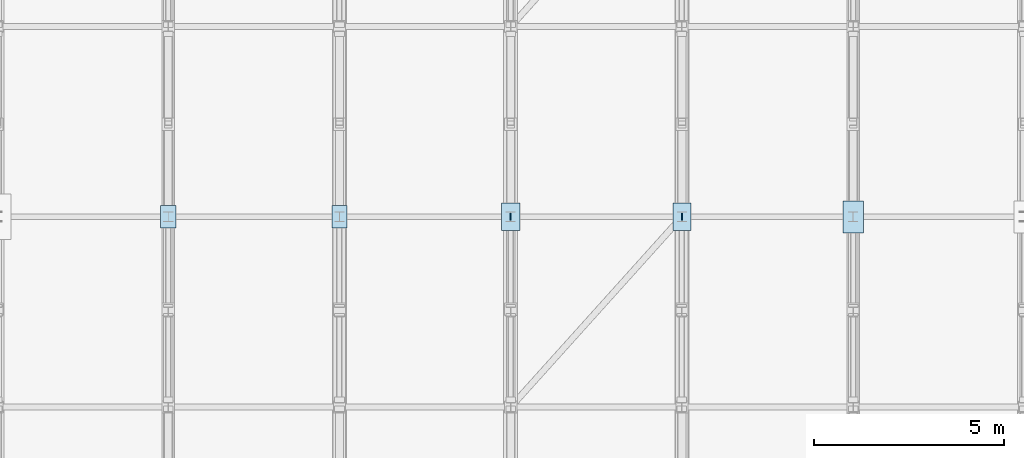
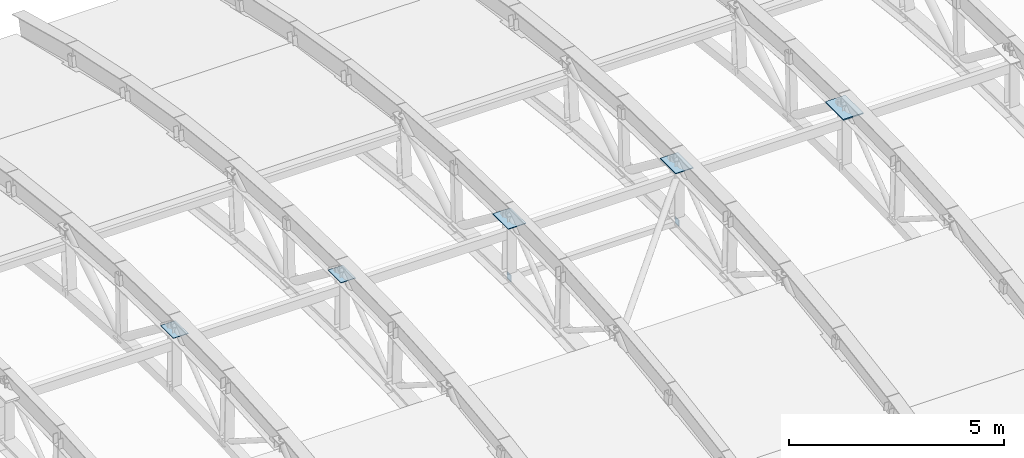
# One storey, part 37 of 53: 7 plates.
"""IFC4 building model written with IfcOpenShell, lengths in metres."""

from ifc_helpers import new_model, si_unit, direction, frame, origin, origin_2d, place, context, subcontext, project, spatial, rectangle, extrude, material, layer, layer_set, type_object, element, save


model = new_model("IFC4")

# Units and contexts
model_context = context("Model", 3, precision=1e-05, world=origin(), true_north=direction((0.0, 1.0)))
body_context = subcontext(model_context, "Body", "Model", "MODEL_VIEW")
ifc_project = project(units=[si_unit("LENGTHUNIT", "METRE"), si_unit("AREAUNIT", "SQUARE_METRE"), si_unit("VOLUMEUNIT", "CUBIC_METRE"), si_unit("PLANEANGLEUNIT", "RADIAN"), si_unit("MASSUNIT", "GRAM", prefix="KILO")], contexts=[model_context])

# Site, building, storey
site_placement = place(None, origin())
site = spatial("IfcSite", under=ifc_project, at=site_placement, CompositionType="ELEMENT")
building_placement = place(site_placement, origin())
building = spatial("IfcBuilding", under=site, at=building_placement, Name="Cazmaro Siding Exhibition Halls", CompositionType="ELEMENT")
storey_placement = place(building_placement, frame((0.0, 0.0, 21.0)))
storey = spatial("IfcBuildingStorey", under=building, at=storey_placement, Name="L04", CompositionType="ELEMENT", Elevation=21.0)

# Plates
ifc_material_1 = material(Name="Steel ASTM A572 Grade 50", Category="steel")
ifc_layer_1 = layer(ifc_material_1, 0.02001953125)
ifc_layer_set_1 = layer_set([ifc_layer_1], Name="Steel ASTM A572 Grade 50")
plate_type_1 = type_object("IfcPlateType", Name="CP-11", PredefinedType="SHEET", material=ifc_layer_set_1)
for number, where, z_axis, x_axis, name in (
    (1, (107.985107421875, 94.0, 0.699951171875), (1.0, 0.0, 0.0), (0.0, 1.0, 0.0), "HSS strut end-cap plate CP-11"),
    (2, (112.494873046875, 94.0, 0.699951171875), (1.0, 0.0, 0.0), (0.0, 1.0, 0.0), "HSS strut end-cap plate CP-11"),
):
    element("IfcPlate", number, at=place(storey_placement, frame(where, z_axis=z_axis, x_axis=x_axis)), inside=storey, type_object=plate_type_1, Name=name, PredefinedType="SHEET", context=body_context, shape_type="SweptSolid", body=[
        extrude(rectangle(XDim=0.179931640625, YDim=0.179931640625, at=origin_2d()), origin(), (0.0, 0.0, 1.0), 0.02001953125),
    ])
ifc_material_2 = material(Name="Steel ASTM A572 Grade 50", Category="steel")
ifc_layer_2 = layer(ifc_material_2, 0.011962890625)
ifc_layer_set_2 = layer_set([ifc_layer_2], Name="Steel ASTM A572 Grade 50")
plate_type_2 = type_object("IfcPlateType", Name="GP-01", PredefinedType="USERDEFINED", material=ifc_layer_set_2)
for number, where, z_axis, x_axis, name in (
    (3, (99.0, 94.0, 2.34423828125), (0.0, 0.0, 1.0), (0.0, 1.0, 0.0), "Space frame vault crown gusset plate GP-01 node TN-02"),
    (4, (103.5, 94.0, 2.34423828125), (0.0, 0.0, 1.0), (0.0, 1.0, 0.0), "Space frame vault crown gusset plate GP-01 node TN-02"),
):
    element("IfcPlate", number, at=place(storey_placement, frame(where, z_axis=z_axis, x_axis=x_axis)), inside=storey, type_object=plate_type_2, Name=name, ObjectType="GUSSET PLATE", PredefinedType="USERDEFINED", context=body_context, shape_type="SweptSolid", body=[
        extrude(rectangle(XDim=0.60009765625, YDim=0.39990234375, at=origin_2d()), origin(), (0.0, 0.0, 1.0), 0.011962890625),
    ])
ifc_material_3 = material(Name="Steel ASTM A572 Grade 50", Category="steel")
ifc_layer_3 = layer(ifc_material_3, 0.02001953125)
ifc_layer_set_3 = layer_set([ifc_layer_3], Name="Steel ASTM A572 Grade 50")
plate_type_3 = type_object("IfcPlateType", Name="GP-02", PredefinedType="USERDEFINED", material=ifc_layer_set_3)
for number, where, z_axis, x_axis, name in (
    (5, (108.0, 94.0, 2.340087890625), (0.0, 0.0, 1.0), (0.0, 1.0, 0.0), "Space frame vault crown gusset plate GP-02 node TN-02"),
    (6, (112.5, 94.0, 2.340087890625), (0.0, 0.0, 1.0), (0.0, 1.0, 0.0), "Space frame vault crown gusset plate GP-02 node TN-02"),
):
    element("IfcPlate", number, at=place(storey_placement, frame(where, z_axis=z_axis, x_axis=x_axis)), inside=storey, type_object=plate_type_3, Name=name, ObjectType="GUSSET PLATE", PredefinedType="USERDEFINED", context=body_context, shape_type="SweptSolid", body=[
        extrude(rectangle(XDim=0.719970703125, YDim=0.47998046875, at=origin_2d()), origin(), (0.0, 0.0, 1.0), 0.02001953125),
    ])
ifc_material_4 = material(Name="Steel ASTM A572 Grade 50", Category="steel")
ifc_layer_4 = layer(ifc_material_4, 0.030029296875)
ifc_layer_set_4 = layer_set([ifc_layer_4], Name="Steel ASTM A572 Grade 50")
plate_type_4 = type_object("IfcPlateType", Name="GP-03", PredefinedType="USERDEFINED", material=ifc_layer_set_4)
plate_placement = place(storey_placement, frame((117.0, 94.0, 2.3349609375), z_axis=(0.0, 0.0, 1.0), x_axis=(0.0, 1.0, 0.0)))
element("IfcPlate", 7, at=plate_placement, inside=storey, type_object=plate_type_4, Name="Space frame vault crown gusset plate GP-03 node TN-02", ObjectType="GUSSET PLATE", PredefinedType="USERDEFINED", context=body_context, shape_type="SweptSolid", body=[
    extrude(rectangle(XDim=0.840087890625, YDim=0.5400390625, at=origin_2d()), origin(), (0.0, 0.0, 1.0), 0.030029296875),
])

save(model, "model.ifc")
